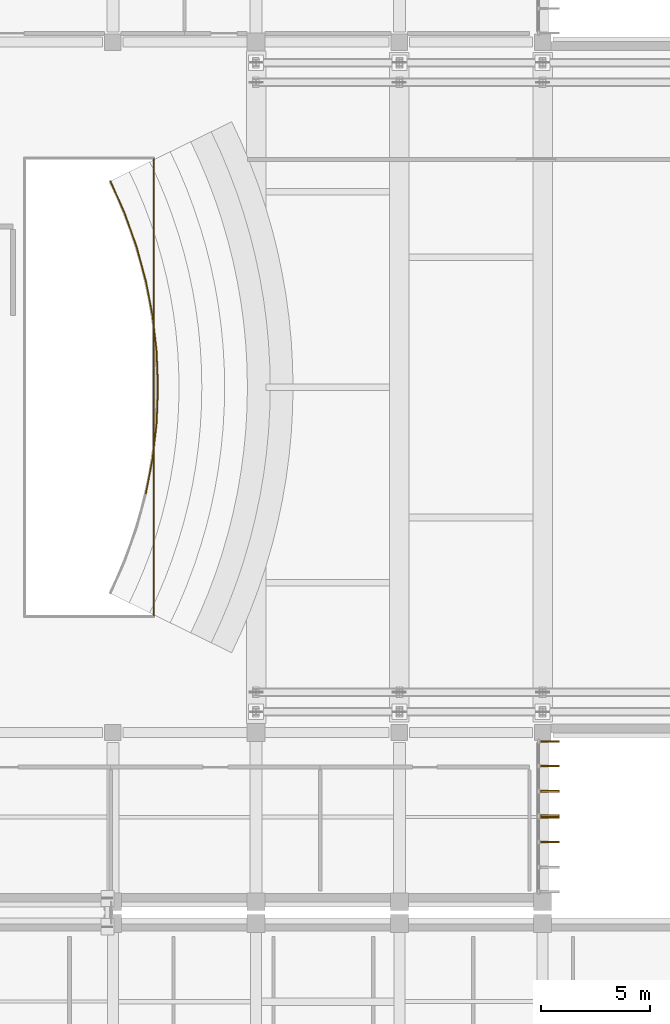
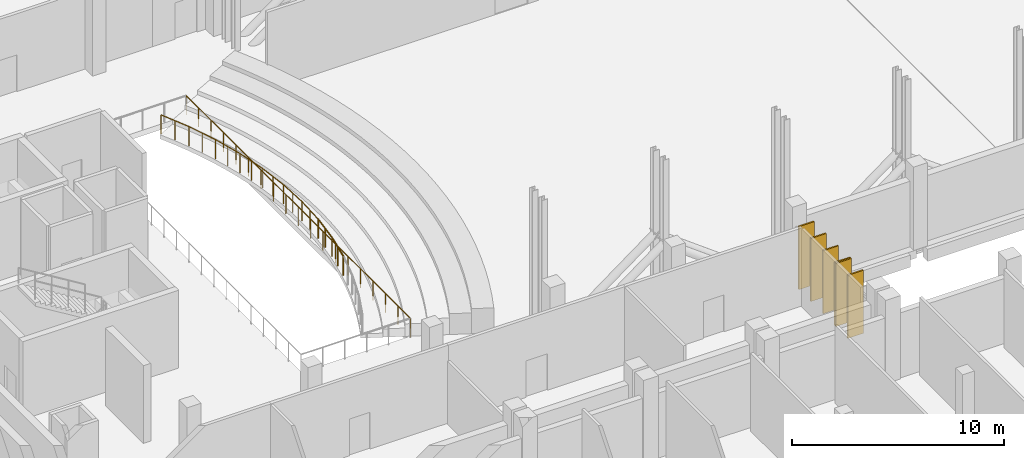
# One storey, part 68 of 73: 10 railings, 6 shading devices.
"""IFC4 building model written with IfcOpenShell, lengths in metres."""

from ifc_helpers import new_model, si_unit, direction, frame, origin, origin_2d, place, context, subcontext, project, spatial, rectangle, circle, extrude, material, layer, layer_set, type_object, element, save


model = new_model("IFC4")

# Units and contexts
model_context = context("Model", 3, precision=1e-05, world=origin(), true_north=direction((0.0, 1.0)))
body_context = subcontext(model_context, "Body", "Model", "MODEL_VIEW")
ifc_project = project(units=[si_unit("LENGTHUNIT", "METRE"), si_unit("AREAUNIT", "SQUARE_METRE"), si_unit("VOLUMEUNIT", "CUBIC_METRE"), si_unit("PLANEANGLEUNIT", "RADIAN"), si_unit("MASSUNIT", "GRAM", prefix="KILO")], contexts=[model_context])

# Site, building, storey
site_placement = place(None, origin())
site = spatial("IfcSite", under=ifc_project, at=site_placement, CompositionType="ELEMENT")
building_placement = place(site_placement, origin())
building = spatial("IfcBuilding", under=site, at=building_placement, Name="Kelarvand Opera House", CompositionType="ELEMENT")
storey_placement = place(building_placement, frame((0.0, 0.0, 10.199951171875)))
storey = spatial("IfcBuildingStorey", under=building, at=storey_placement, Name="L02", CompositionType="ELEMENT", Elevation=10.199951171875)

# Railings
ifc_material_1 = material(Name="Laminated safety glass with bronze cap rail", Category="glass")
railing_type = type_object("IfcRailingType", Name="Laminated Glass and Bronze Foyer Balustrade 1120", PredefinedType="BALUSTRADE", material=ifc_material_1)
railing_1_placement = place(storey_placement, frame((110.679931640625, 73.080078125, 0.0)))
element("IfcRailing", 1, at=railing_1_placement, inside=storey, type_object=railing_type, Name="V1 L02 Balustrade 53", PredefinedType="BALUSTRADE", context=body_context, shape_type="SweptSolid", body=[
    extrude(circle(Radius=0.02392578125, at=origin_2d()), frame((0.0, 0.0, 1.09619140625), z_axis=(0.0, -1.0, 0.0), x_axis=(1.0, 0.0, 0.0)), (0.0, 0.0, 1.0), 21.16015625),
    extrude(circle(Radius=0.02099609375, at=origin_2d()), origin(), (0.0, 0.0, 1.0), 1.072021484375),
    extrude(circle(Radius=0.02099609375, at=origin_2d()), frame((0.0, -1.175537109375, 0.0)), (0.0, 0.0, 1.0), 1.072021484375),
    extrude(circle(Radius=0.02099609375, at=origin_2d()), frame((0.0, -2.35107421875, 0.0)), (0.0, 0.0, 1.0), 1.072021484375),
    extrude(circle(Radius=0.02099609375, at=origin_2d()), frame((0.0, -3.526611328125, 0.0)), (0.0, 0.0, 1.0), 1.072021484375),
    extrude(circle(Radius=0.02099609375, at=origin_2d()), frame((0.0, -4.7021484375, 0.0)), (0.0, 0.0, 1.0), 1.072021484375),
    extrude(circle(Radius=0.02099609375, at=origin_2d()), frame((0.0, -5.8779296875, 0.0)), (0.0, 0.0, 1.0), 1.072021484375),
    extrude(circle(Radius=0.02099609375, at=origin_2d()), frame((0.0, -7.053466796875, 0.0)), (0.0, 0.0, 1.0), 1.072021484375),
    extrude(circle(Radius=0.02099609375, at=origin_2d()), frame((0.0, -8.22900390625, 0.0)), (0.0, 0.0, 1.0), 1.072021484375),
    extrude(circle(Radius=0.02099609375, at=origin_2d()), frame((0.0, -9.404541015625, 0.0)), (0.0, 0.0, 1.0), 1.072021484375),
    extrude(circle(Radius=0.02099609375, at=origin_2d()), frame((0.0, -10.580078125, 0.0)), (0.0, 0.0, 1.0), 1.072021484375),
    extrude(circle(Radius=0.02099609375, at=origin_2d()), frame((0.0, -11.755615234375, 0.0)), (0.0, 0.0, 1.0), 1.072021484375),
    extrude(circle(Radius=0.02099609375, at=origin_2d()), frame((0.0, -12.93115234375, 0.0)), (0.0, 0.0, 1.0), 1.072021484375),
    extrude(circle(Radius=0.02099609375, at=origin_2d()), frame((0.0, -14.106689453125, 0.0)), (0.0, 0.0, 1.0), 1.072021484375),
    extrude(circle(Radius=0.02099609375, at=origin_2d()), frame((0.0, -15.2822265625, 0.0)), (0.0, 0.0, 1.0), 1.072021484375),
    extrude(circle(Radius=0.02099609375, at=origin_2d()), frame((0.0, -16.4580078125, 0.0)), (0.0, 0.0, 1.0), 1.072021484375),
    extrude(circle(Radius=0.02099609375, at=origin_2d()), frame((0.0, -17.633544921875, 0.0)), (0.0, 0.0, 1.0), 1.072021484375),
    extrude(circle(Radius=0.02099609375, at=origin_2d()), frame((0.0, -18.80908203125, 0.0)), (0.0, 0.0, 1.0), 1.072021484375),
    extrude(circle(Radius=0.02099609375, at=origin_2d()), frame((0.0, -19.984619140625, 0.0)), (0.0, 0.0, 1.0), 1.072021484375),
    extrude(circle(Radius=0.02099609375, at=origin_2d()), frame((0.0, -21.16015625, 0.0)), (0.0, 0.0, 1.0), 1.072021484375),
])
railing_2_placement = place(storey_placement, frame((110.32421875, 57.623046875, 0.239990234375)))
element("IfcRailing", 2, at=railing_2_placement, inside=storey, type_object=railing_type, Name="V1 L02 Balustrade 180", PredefinedType="BALUSTRADE", context=body_context, shape_type="SweptSolid", body=[
    extrude(circle(Radius=0.02392578125, at=origin_2d()), frame((0.0, 0.0, 1.09619140625), z_axis=(0.188090609829, 0.982151679983, 0.0), x_axis=(-0.982151679983, 0.188090609829, 0.0)), (0.0, 0.0, 1.0), 1.639404296875),
    extrude(circle(Radius=0.02099609375, at=origin_2d()), origin(), (0.0, 0.0, 1.0), 1.072021484375),
    extrude(circle(Radius=0.02099609375, at=origin_2d()), frame((0.154296875, 0.80517578125, 0.0)), (0.0, 0.0, 1.0), 1.072021484375),
    extrude(circle(Radius=0.02099609375, at=origin_2d()), frame((0.308349609375, 1.610107421875, 0.0)), (0.0, 0.0, 1.0), 1.072021484375),
])
railing_3_placement = place(storey_placement, frame((110.632568359375, 59.233154296875, 0.239990234375)))
element("IfcRailing", 3, at=railing_3_placement, inside=storey, type_object=railing_type, Name="V1 L02 Balustrade 181", PredefinedType="BALUSTRADE", context=body_context, shape_type="SweptSolid", body=[
    extrude(circle(Radius=0.02392578125, at=origin_2d()), frame((0.0, 0.0, 1.09619140625), z_axis=(0.11319373868, 0.993572935181, 0.0), x_axis=(-0.993572935181, 0.11319373868, 0.0)), (0.0, 0.0, 1.0), 1.63916015625),
    extrude(circle(Radius=0.02099609375, at=origin_2d()), origin(), (0.0, 0.0, 1.0), 1.072021484375),
    extrude(circle(Radius=0.02099609375, at=origin_2d()), frame((0.0927734375, 0.814453125, 0.0)), (0.0, 0.0, 1.0), 1.072021484375),
    extrude(circle(Radius=0.02099609375, at=origin_2d()), frame((0.185546875, 1.628662109375, 0.0)), (0.0, 0.0, 1.0), 1.072021484375),
])
railing_4_placement = place(storey_placement, frame((110.818115234375, 60.86181640625, 0.239990234375)))
element("IfcRailing", 4, at=railing_4_placement, inside=storey, type_object=railing_type, Name="V1 L02 Balustrade 182", PredefinedType="BALUSTRADE", context=body_context, shape_type="SweptSolid", body=[
    extrude(circle(Radius=0.02392578125, at=origin_2d()), frame((0.0, 0.0, 1.09619140625), z_axis=(0.037678144773, 0.999289926601, 0.0), x_axis=(-0.999289926601, 0.037678144773, 0.0)), (0.0, 0.0, 1.0), 1.639404296875),
    extrude(circle(Radius=0.02099609375, at=origin_2d()), origin(), (0.0, 0.0, 1.0), 1.072021484375),
    extrude(circle(Radius=0.02099609375, at=origin_2d()), frame((0.03076171875, 0.819091796875, 0.0)), (0.0, 0.0, 1.0), 1.072021484375),
    extrude(circle(Radius=0.02099609375, at=origin_2d()), frame((0.061767578125, 1.63818359375, 0.0)), (0.0, 0.0, 1.0), 1.072021484375),
])
railing_5_placement = place(storey_placement, frame((110.8798828125, 62.5, 0.239990234375)))
element("IfcRailing", 5, at=railing_5_placement, inside=storey, type_object=railing_type, Name="V1 L02 Balustrade 183", PredefinedType="BALUSTRADE", context=body_context, shape_type="SweptSolid", body=[
    extrude(circle(Radius=0.02392578125, at=origin_2d()), frame((0.0, 0.0, 1.09619140625), z_axis=(-0.037678144773, 0.999289926601, 0.0), x_axis=(-0.999289926601, -0.037678144773, 0.0)), (0.0, 0.0, 1.0), 1.639404296875),
    extrude(circle(Radius=0.02099609375, at=origin_2d()), origin(), (0.0, 0.0, 1.0), 1.072021484375),
    extrude(circle(Radius=0.02099609375, at=origin_2d()), frame((-0.03076171875, 0.819091796875, 0.0)), (0.0, 0.0, 1.0), 1.072021484375),
    extrude(circle(Radius=0.02099609375, at=origin_2d()), frame((-0.061767578125, 1.63818359375, 0.0)), (0.0, 0.0, 1.0), 1.072021484375),
])
railing_6_placement = place(storey_placement, frame((110.818115234375, 64.13818359375, 0.239990234375)))
element("IfcRailing", 6, at=railing_6_placement, inside=storey, type_object=railing_type, Name="V1 L02 Balustrade 184", PredefinedType="BALUSTRADE", context=body_context, shape_type="SweptSolid", body=[
    extrude(circle(Radius=0.02392578125, at=origin_2d()), frame((0.0, 0.0, 1.09619140625), z_axis=(-0.11319373868, 0.993572935181, 0.0), x_axis=(-0.993572935181, -0.11319373868, 0.0)), (0.0, 0.0, 1.0), 1.63916015625),
    extrude(circle(Radius=0.02099609375, at=origin_2d()), origin(), (0.0, 0.0, 1.0), 1.072021484375),
    extrude(circle(Radius=0.02099609375, at=origin_2d()), frame((-0.0927734375, 0.814453125, 0.0)), (0.0, 0.0, 1.0), 1.072021484375),
    extrude(circle(Radius=0.02099609375, at=origin_2d()), frame((-0.185546875, 1.628662109375, 0.0)), (0.0, 0.0, 1.0), 1.072021484375),
])
railing_7_placement = place(storey_placement, frame((110.632568359375, 65.766845703125, 0.239990234375)))
element("IfcRailing", 7, at=railing_7_placement, inside=storey, type_object=railing_type, Name="V1 L02 Balustrade 185", PredefinedType="BALUSTRADE", context=body_context, shape_type="SweptSolid", body=[
    extrude(circle(Radius=0.02392578125, at=origin_2d()), frame((0.0, 0.0, 1.09619140625), z_axis=(-0.188090609829, 0.982151679983, 0.0), x_axis=(-0.982151679983, -0.188090609829, 0.0)), (0.0, 0.0, 1.0), 1.639404296875),
    extrude(circle(Radius=0.02099609375, at=origin_2d()), origin(), (0.0, 0.0, 1.0), 1.072021484375),
    extrude(circle(Radius=0.02099609375, at=origin_2d()), frame((-0.154296875, 0.80517578125, 0.0)), (0.0, 0.0, 1.0), 1.072021484375),
    extrude(circle(Radius=0.02099609375, at=origin_2d()), frame((-0.308349609375, 1.610107421875, 0.0)), (0.0, 0.0, 1.0), 1.072021484375),
])
railing_8_placement = place(storey_placement, frame((110.32421875, 67.376953125, 0.239990234375)))
element("IfcRailing", 8, at=railing_8_placement, inside=storey, type_object=railing_type, Name="V1 L02 Balustrade 186", PredefinedType="BALUSTRADE", context=body_context, shape_type="SweptSolid", body=[
    extrude(circle(Radius=0.02392578125, at=origin_2d()), frame((0.0, 0.0, 1.09619140625), z_axis=(-0.261554243036, 0.9651887784, 0.0), x_axis=(-0.9651887784, -0.261554243036, 0.0)), (0.0, 0.0, 1.0), 1.63916015625),
    extrude(circle(Radius=0.02099609375, at=origin_2d()), origin(), (0.0, 0.0, 1.0), 1.072021484375),
    extrude(circle(Radius=0.02099609375, at=origin_2d()), frame((-0.21435546875, 0.791015625, 0.0)), (0.0, 0.0, 1.0), 1.072021484375),
    extrude(circle(Radius=0.02099609375, at=origin_2d()), frame((-0.4287109375, 1.58203125, 0.0)), (0.0, 0.0, 1.0), 1.072021484375),
])
railing_9_placement = place(storey_placement, frame((109.8955078125, 68.958984375, 0.239990234375)))
element("IfcRailing", 9, at=railing_9_placement, inside=storey, type_object=railing_type, Name="V1 L02 Balustrade 187", PredefinedType="BALUSTRADE", context=body_context, shape_type="SweptSolid", body=[
    extrude(circle(Radius=0.02392578125, at=origin_2d()), frame((0.0, 0.0, 1.09619140625), z_axis=(-0.333731357161, 0.942668224376, 0.0), x_axis=(-0.942668224376, -0.333731357161, 0.0)), (0.0, 0.0, 1.0), 1.639404296875),
    extrude(circle(Radius=0.02099609375, at=origin_2d()), origin(), (0.0, 0.0, 1.0), 1.072021484375),
    extrude(circle(Radius=0.02099609375, at=origin_2d()), frame((-0.2734375, 0.772705078125, 0.0)), (0.0, 0.0, 1.0), 1.072021484375),
    extrude(circle(Radius=0.02099609375, at=origin_2d()), frame((-0.547119140625, 1.54541015625, 0.0)), (0.0, 0.0, 1.0), 1.072021484375),
])
railing_10_placement = place(storey_placement, frame((109.348388671875, 70.50439453125, 0.239990234375)))
element("IfcRailing", 10, at=railing_10_placement, inside=storey, type_object=railing_type, Name="V1 L02 Balustrade 188", PredefinedType="BALUSTRADE", context=body_context, shape_type="SweptSolid", body=[
    extrude(circle(Radius=0.02392578125, at=origin_2d()), frame((0.0, 0.0, 1.09619140625), z_axis=(-0.40417543863, 0.914681482707, 0.0), x_axis=(-0.914681482707, -0.40417543863, 0.0)), (0.0, 0.0, 1.0), 1.639404296875),
    extrude(circle(Radius=0.02099609375, at=origin_2d()), origin(), (0.0, 0.0, 1.0), 1.072021484375),
    extrude(circle(Radius=0.02099609375, at=origin_2d()), frame((-0.331298828125, 0.749755859375, 0.0)), (0.0, 0.0, 1.0), 1.072021484375),
    extrude(circle(Radius=0.02099609375, at=origin_2d()), frame((-0.66259765625, 1.49951171875, 0.0)), (0.0, 0.0, 1.0), 1.072021484375),
])

# Shading devices
ifc_material_2 = material(Name="Bronze-framed Azarshahr travertine fin", Category="masonry")
ifc_layer = layer(ifc_material_2, 0.080078125, Name="Bronze-framed Azarshahr travertine fin", Category="masonry")
ifc_layer_set = layer_set([ifc_layer], Name="Bronze-framed Azarshahr travertine fin")
shading_device_type = type_object("IfcShadingDeviceType", Name="Vertical Travertine-Bronze Solar Fin 850x80", PredefinedType="USERDEFINED", material=ifc_layer_set)
for number, where, z_axis, x_axis, name in (
    (11, (128.93994140625, 46.177490234375, 0.0), (0.0, 0.0, 1.0), (1.0, 0.0, 0.0), "V1 Solar Fin 87"),
    (12, (128.93994140625, 45.050537109375, 0.0), (0.0, 0.0, 1.0), (1.0, 0.0, 0.0), "V1 Solar Fin 88"),
    (13, (128.93994140625, 43.885986328125, 0.0), (0.0, 0.0, 1.0), (1.0, 0.0, 0.0), "V1 Solar Fin 89"),
    (14, (128.93994140625, 42.759033203125, 0.0), (0.0, 0.0, 1.0), (1.0, 0.0, 0.0), "V1 Solar Fin 90"),
    (15, (128.93994140625, 42.679931640625, 0.0), (0.0, 0.0, 1.0), (1.0, 0.0, 0.0), "V1 Solar Fin 91"),
    (16, (128.93994140625, 41.5517578125, 0.0), (0.0, 0.0, 1.0), (1.0, 0.0, 0.0), "V1 Solar Fin 92"),
):
    element("IfcShadingDevice", number, at=place(storey_placement, frame(where, z_axis=z_axis, x_axis=x_axis)), inside=storey, type_object=shading_device_type, Name=name, ObjectType="FIN", PredefinedType="USERDEFINED", context=body_context, shape_type="SweptSolid", body=[
        extrude(rectangle(XDim=0.85009765625, YDim=0.080078125, at=origin_2d()), origin(), (0.0, 0.0, 1.0), 3.6298828125),
    ])

save(model, "model.ifc")
